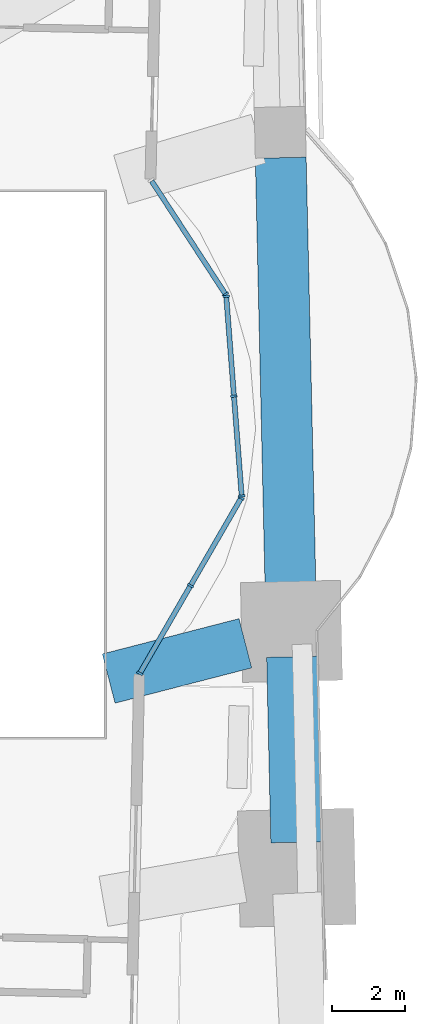
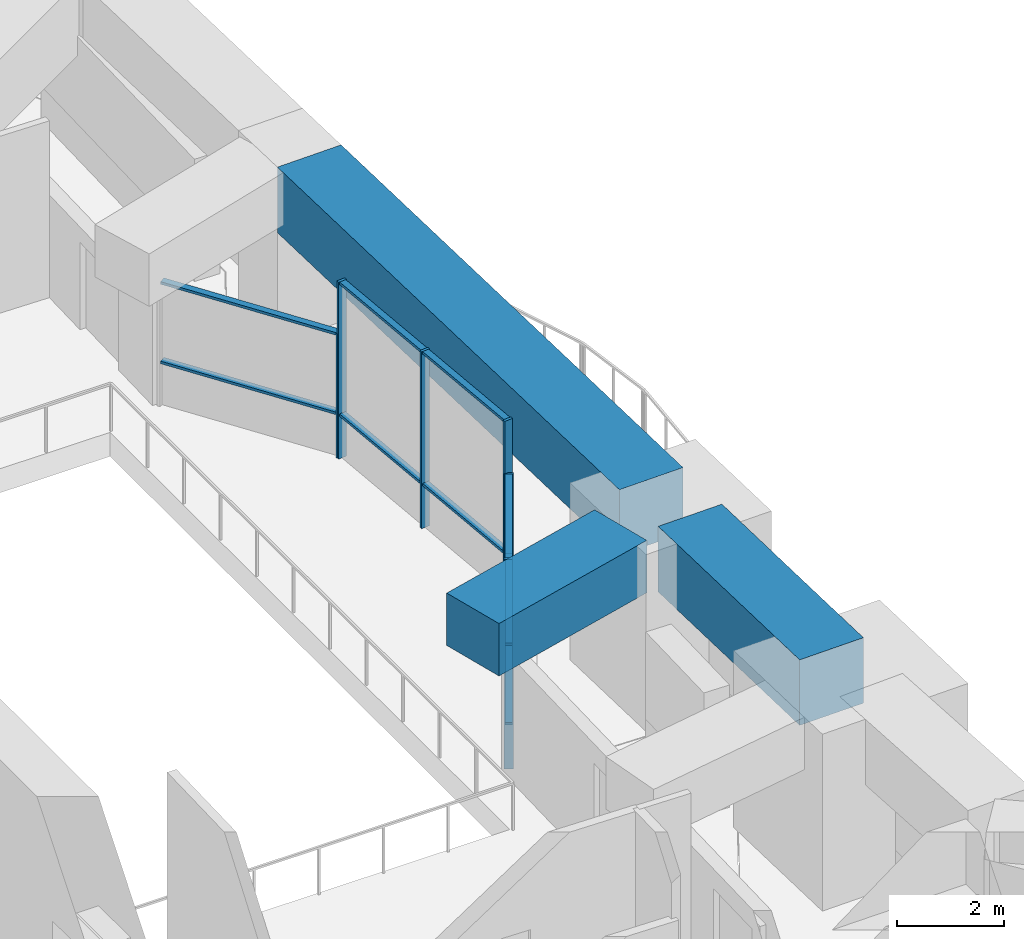
# One storey, part 4 of 20: 17 members, 3 beams, 3 elements without a shape of their own.
"""IFC4 building model written with IfcOpenShell, lengths in metres."""

from ifc_helpers import new_model, si_unit, direction, frame, origin, origin_2d, place, context, subcontext, project, spatial, rectangle, extrude, material, material_profile, profile_set, type_object, element, aggregate, save


model = new_model("IFC4")

# Units and contexts
model_context = context("Model", 3, precision=1e-05, world=origin(), true_north=direction((0.0, 1.0)))
body_context = subcontext(model_context, "Body", "Model", "MODEL_VIEW")
ifc_project = project(units=[si_unit("LENGTHUNIT", "METRE"), si_unit("AREAUNIT", "SQUARE_METRE"), si_unit("VOLUMEUNIT", "CUBIC_METRE"), si_unit("PLANEANGLEUNIT", "RADIAN"), si_unit("MASSUNIT", "GRAM", prefix="KILO")], contexts=[model_context])

# Site, building, storey
site_placement = place(None, origin())
site = spatial("IfcSite", under=ifc_project, at=site_placement, CompositionType="ELEMENT")
building_placement = place(site_placement, origin())
building = spatial("IfcBuilding", under=site, at=building_placement, Name="Mangrove Gate Tower", CompositionType="ELEMENT")
storey_placement = place(building_placement, frame((0.0, 0.0, 97.300048828125)))
storey = spatial("IfcBuildingStorey", under=building, at=storey_placement, Name="L24", CompositionType="ELEMENT", Elevation=97.300048828125)

# Curtain wall, members
ifc_material_1 = material(Name="Aluminium and glass curtain wall", Category="aluminium")
curtain_wall_type = type_object("IfcCurtainWallType", Name="Sky-lounge glazing wall", PredefinedType="NOTDEFINED", material=ifc_material_1)
curtain_wall_1_placement = place(storey_placement, origin())
curtain_wall_1 = element("IfcCurtainWall", 1, at=curtain_wall_1_placement, inside=storey, type_object=curtain_wall_type, Name="Sky-lounge glazing E1f1", PredefinedType="NOTDEFINED")
ifc_material_2 = material(Name="Aluminium alloy 6063-T6", Category="aluminium")
ifc_material_profile_1 = material_profile(ifc_material_2, rectangle(XDim=0.06005859375, YDim=0.179931640625, at=origin_2d()))
ifc_profile_set_1 = profile_set([ifc_material_profile_1], Name="Aluminium alloy 6063-T6")
member_type_1 = type_object("IfcMemberType", Name="Sky-lounge glazing mullion 60x180", PredefinedType="MULLION", material=ifc_profile_set_1)
member_1_placement = place(storey_placement, frame((25.207275390625, -5.75439453125, 0.0), z_axis=(0.0, 0.0, 1.0), x_axis=(0.500418160284, 0.865783844189, 0.0)))
member_1 = element("IfcMember", 2, at=member_1_placement, type_object=member_type_1, Name="CWK mullion 1", PredefinedType="MULLION", context=body_context, shape_type="SweptSolid", body=[
    extrude(rectangle(XDim=0.06005859375, YDim=0.179931640625, at=origin_2d()), origin(), (0.0, 0.0, 1.0), 2.849853515625),
])
member_2_placement = place(storey_placement, frame((26.60400390625, -3.338134765625, 0.0), z_axis=(0.0, 0.0, 1.0), x_axis=(0.500418160284, 0.865783844189, 0.0)))
member_2 = element("IfcMember", 3, at=member_2_placement, type_object=member_type_1, Name="CWK mullion 2", PredefinedType="MULLION", context=body_context, shape_type="SweptSolid", body=[
    extrude(rectangle(XDim=0.06005859375, YDim=0.179931640625, at=origin_2d()), origin(), (0.0, 0.0, 1.0), 2.849853515625),
])
member_3_placement = place(storey_placement, frame((28.00048828125, -0.921875, 0.0), z_axis=(0.0, 0.0, 1.0), x_axis=(0.500418160284, 0.865783844189, 0.0)))
member_3 = element("IfcMember", 4, at=member_3_placement, type_object=member_type_1, Name="CWK mullion 3", PredefinedType="MULLION", context=body_context, shape_type="SweptSolid", body=[
    extrude(rectangle(XDim=0.06005859375, YDim=0.179931640625, at=origin_2d()), origin(), (0.0, 0.0, 1.0), 2.849853515625),
])

curtain_wall_2_placement = place(storey_placement, origin())
curtain_wall_2 = element("IfcCurtainWall", 5, at=curtain_wall_2_placement, inside=storey, type_object=curtain_wall_type, Name="Sky-lounge glazing E1f2", PredefinedType="NOTDEFINED")
member_4_placement = place(storey_placement, frame((28.01318359375, -0.865966796875, 0.0), z_axis=(0.0, 0.0, 1.0), x_axis=(-0.077023348229, 0.997029289353, 0.0)))
member_4 = element("IfcMember", 6, at=member_4_placement, type_object=member_type_1, Name="CWK mullion 1", PredefinedType="MULLION", context=body_context, shape_type="SweptSolid", body=[
    extrude(rectangle(XDim=0.06005859375, YDim=0.179931640625, at=origin_2d()), origin(), (0.0, 0.0, 1.0), 4.050048828125),
])
member_5_placement = place(storey_placement, frame((27.801025390625, 1.882568359375, 0.0), z_axis=(0.0, 0.0, 1.0), x_axis=(-0.077023348229, 0.997029289353, 0.0)))
member_5 = element("IfcMember", 7, at=member_5_placement, type_object=member_type_1, Name="CWK mullion 2", PredefinedType="MULLION", context=body_context, shape_type="SweptSolid", body=[
    extrude(rectangle(XDim=0.06005859375, YDim=0.179931640625, at=origin_2d()), origin(), (0.0, 0.0, 1.0), 4.050048828125),
])
member_6_placement = place(storey_placement, frame((27.588623046875, 4.631103515625, 0.0), z_axis=(0.0, 0.0, 1.0), x_axis=(-0.077023348229, 0.997029289353, 0.0)))
member_6 = element("IfcMember", 8, at=member_6_placement, type_object=member_type_1, Name="CWK mullion 3", PredefinedType="MULLION", context=body_context, shape_type="SweptSolid", body=[
    extrude(rectangle(XDim=0.06005859375, YDim=0.179931640625, at=origin_2d()), origin(), (0.0, 0.0, 1.0), 4.050048828125),
])

# Curtain wall, member
curtain_wall_3_placement = place(storey_placement, origin())
curtain_wall_3 = element("IfcCurtainWall", 9, at=curtain_wall_3_placement, inside=storey, type_object=curtain_wall_type, Name="Sky-lounge glazing E1f3", PredefinedType="NOTDEFINED")
member_7_placement = place(storey_placement, frame((27.56982421875, 4.68603515625, 0.0), z_axis=(0.0, 0.0, 1.0), x_axis=(-0.546235085235, 0.837631918959, 0.0)))
member_7 = element("IfcMember", 10, at=member_7_placement, type_object=member_type_1, Name="CWK mullion 1", PredefinedType="MULLION", context=body_context, shape_type="SweptSolid", body=[
    extrude(rectangle(XDim=0.06005859375, YDim=0.179931640625, at=origin_2d()), origin(), (0.0, 0.0, 1.0), 2.849853515625),
])

# Member
ifc_material_3 = material(Name="Aluminium alloy 6063-T6", Category="aluminium")
ifc_material_profile_2 = material_profile(ifc_material_3, rectangle(XDim=0.06005859375, YDim=0.139892578125, at=origin_2d()))
ifc_profile_set_2 = profile_set([ifc_material_profile_2], Name="Aluminium alloy 6063-T6")
member_type_2 = type_object("IfcMemberType", Name="Sky-lounge glazing transom 60x140", PredefinedType="USERDEFINED", material=ifc_profile_set_2)
member_8_placement = place(storey_placement, frame((25.222412109375, -5.728515625, 1.0), z_axis=(0.500398244711, 0.865795354972, 0.0), x_axis=(0.0, 0.0, 1.0)))
member_8 = element("IfcMember", 11, at=member_8_placement, type_object=member_type_2, Name="CWK transom 1.2", ObjectType="TRANSOM", PredefinedType="USERDEFINED", context=body_context, shape_type="SweptSolid", body=[
    extrude(rectangle(XDim=0.06005859375, YDim=0.139892578125, at=origin_2d()), origin(), (0.0, 0.0, 1.0), 2.730712890625),
])

member_9_placement = place(storey_placement, frame((25.222412109375, -5.728515625, 2.820068359375), z_axis=(0.500398244711, 0.865795354972, 0.0), x_axis=(0.0, 0.0, 1.0)))
member_9 = element("IfcMember", 12, at=member_9_placement, type_object=member_type_2, Name="CWK transom 1.3", ObjectType="TRANSOM", PredefinedType="USERDEFINED", context=body_context, shape_type="SweptSolid", body=[
    extrude(rectangle(XDim=0.06005859375, YDim=0.139892578125, at=origin_2d()), origin(), (0.0, 0.0, 1.0), 2.730712890625),
])

member_10_placement = place(storey_placement, frame((26.618896484375, -3.312255859375, 1.0), z_axis=(0.500426524989, 0.865779009382, 0.0), x_axis=(0.0, 0.0, 1.0)))
member_10 = element("IfcMember", 13, at=member_10_placement, type_object=member_type_2, Name="CWK transom 2.2", ObjectType="TRANSOM", PredefinedType="USERDEFINED", context=body_context, shape_type="SweptSolid", body=[
    extrude(rectangle(XDim=0.06005859375, YDim=0.139892578125, at=origin_2d()), origin(), (0.0, 0.0, 1.0), 2.73095703125),
])

member_11_placement = place(storey_placement, frame((26.618896484375, -3.312255859375, 2.820068359375), z_axis=(0.500426524989, 0.865779009382, 0.0), x_axis=(0.0, 0.0, 1.0)))
member_11 = element("IfcMember", 14, at=member_11_placement, type_object=member_type_2, Name="CWK transom 2.3", ObjectType="TRANSOM", PredefinedType="USERDEFINED", context=body_context, shape_type="SweptSolid", body=[
    extrude(rectangle(XDim=0.06005859375, YDim=0.139892578125, at=origin_2d()), origin(), (0.0, 0.0, 1.0), 2.73095703125),
])

aggregate(curtain_wall_1, [member_1, member_2, member_3, member_8, member_9, member_10, member_11])

member_12_placement = place(storey_placement, frame((28.010986328125, -0.836181640625, 1.0), z_axis=(-0.077042645639, 0.997027798385, 0.0), x_axis=(0.0, 0.0, 1.0)))
member_12 = element("IfcMember", 15, at=member_12_placement, type_object=member_type_2, Name="CWK transom 1.2", ObjectType="TRANSOM", PredefinedType="USERDEFINED", context=body_context, shape_type="SweptSolid", body=[
    extrude(rectangle(XDim=0.06005859375, YDim=0.139892578125, at=origin_2d()), origin(), (0.0, 0.0, 1.0), 2.69677734375),
])

member_13_placement = place(storey_placement, frame((28.010986328125, -0.836181640625, 4.02001953125), z_axis=(-0.077042645639, 0.997027798385, 0.0), x_axis=(0.0, 0.0, 1.0)))
member_13 = element("IfcMember", 16, at=member_13_placement, type_object=member_type_2, Name="CWK transom 1.3", ObjectType="TRANSOM", PredefinedType="USERDEFINED", context=body_context, shape_type="SweptSolid", body=[
    extrude(rectangle(XDim=0.06005859375, YDim=0.139892578125, at=origin_2d()), origin(), (0.0, 0.0, 1.0), 2.69677734375),
])

member_14_placement = place(storey_placement, frame((27.798583984375, 1.912353515625, 1.0), z_axis=(-0.077042645639, 0.997027798385, 0.0), x_axis=(0.0, 0.0, 1.0)))
member_14 = element("IfcMember", 17, at=member_14_placement, type_object=member_type_2, Name="CWK transom 2.2", ObjectType="TRANSOM", PredefinedType="USERDEFINED", context=body_context, shape_type="SweptSolid", body=[
    extrude(rectangle(XDim=0.06005859375, YDim=0.139892578125, at=origin_2d()), origin(), (0.0, 0.0, 1.0), 2.69677734375),
])

member_15_placement = place(storey_placement, frame((27.798583984375, 1.912353515625, 4.02001953125), z_axis=(-0.077042645639, 0.997027798385, 0.0), x_axis=(0.0, 0.0, 1.0)))
member_15 = element("IfcMember", 18, at=member_15_placement, type_object=member_type_2, Name="CWK transom 2.3", ObjectType="TRANSOM", PredefinedType="USERDEFINED", context=body_context, shape_type="SweptSolid", body=[
    extrude(rectangle(XDim=0.06005859375, YDim=0.139892578125, at=origin_2d()), origin(), (0.0, 0.0, 1.0), 2.69677734375),
])

aggregate(curtain_wall_2, [member_4, member_5, member_6, member_12, member_13, member_14, member_15])

member_16_placement = place(storey_placement, frame((27.553466796875, 4.711181640625, 1.0), z_axis=(-0.546211360714, 0.837647389674, 0.0), x_axis=(0.0, 0.0, 1.0)))
member_16 = element("IfcMember", 19, at=member_16_placement, type_object=member_type_2, Name="CWK transom 1.2", ObjectType="TRANSOM", PredefinedType="USERDEFINED", context=body_context, shape_type="SweptSolid", body=[
    extrude(rectangle(XDim=0.06005859375, YDim=0.139892578125, at=origin_2d()), origin(), (0.0, 0.0, 1.0), 3.696044921875),
])

member_17_placement = place(storey_placement, frame((27.553466796875, 4.711181640625, 2.820068359375), z_axis=(-0.546211360714, 0.837647389674, 0.0), x_axis=(0.0, 0.0, 1.0)))
member_17 = element("IfcMember", 20, at=member_17_placement, type_object=member_type_2, Name="CWK transom 1.3", ObjectType="TRANSOM", PredefinedType="USERDEFINED", context=body_context, shape_type="SweptSolid", body=[
    extrude(rectangle(XDim=0.06005859375, YDim=0.139892578125, at=origin_2d()), origin(), (0.0, 0.0, 1.0), 3.696044921875),
])

aggregate(curtain_wall_3, [member_7, member_16, member_17])

# Beams
ifc_material_4 = material(Name="Concrete C70/85", Category="concrete")
ifc_material_profile_3 = material_profile(ifc_material_4, rectangle(XDim=1.39990234375, YDim=1.199951171875, at=origin_2d()))
ifc_profile_set_3 = profile_set([ifc_material_profile_3], Name="Concrete C70/85")
beam_type_1 = type_object("IfcBeamType", Name="Transfer girder RC 1400x1200 C70/85", PredefinedType="BEAM", material=ifc_profile_set_3)
beam_1_placement = place(storey_placement, frame((28.11474609375, -4.925048828125, 3.449951171875), z_axis=(-0.96822534524, -0.250079349079, 0.0), x_axis=(0.250079349079, -0.96822534524, 0.0)))
element("IfcBeam", 21, at=beam_1_placement, inside=storey, type_object=beam_type_1, Name="Transfer edge girder L24 15", PredefinedType="BEAM", context=body_context, shape_type="SweptSolid", body=[
    extrude(rectangle(XDim=1.39990234375, YDim=1.199951171875, at=origin_2d()), origin(), (0.0, 0.0, 1.0), 3.887451171875),
])
ifc_material_5 = material(Name="Concrete C70/85", Category="concrete")
ifc_material_profile_4 = material_profile(ifc_material_5, rectangle(XDim=1.39990234375, YDim=1.5, at=origin_2d()))
ifc_profile_set_4 = profile_set([ifc_material_profile_4], Name="Concrete C70/85")
beam_type_2 = type_object("IfcBeamType", Name="Transfer girder RC 1400x1500 C70/85", PredefinedType="BEAM", material=ifc_profile_set_4)
beam_2_placement = place(storey_placement, frame((29.516357421875, -10.406982421875, 3.300048828125), z_axis=(-0.022591213633, 0.999744785966, 0.0), x_axis=(-0.999744785966, -0.022591213633, 0.0)))
element("IfcBeam", 22, at=beam_2_placement, inside=storey, type_object=beam_type_2, Name="Transfer ring girder L24 14", PredefinedType="BEAM", context=body_context, shape_type="SweptSolid", body=[
    extrude(rectangle(XDim=1.39990234375, YDim=1.5, at=origin_2d()), origin(), (0.0, 0.0, 1.0), 5.111572265625),
])
beam_3_placement = place(storey_placement, frame((29.369384765625, -3.89697265625, 3.300048828125), z_axis=(-0.022693564937, 0.999742467894, 0.0), x_axis=(-0.999742467894, -0.022693564937, 0.0)))
element("IfcBeam", 23, at=beam_3_placement, inside=storey, type_object=beam_type_2, Name="Transfer ring girder L24 15", PredefinedType="BEAM", context=body_context, shape_type="SweptSolid", body=[
    extrude(rectangle(XDim=1.39990234375, YDim=1.5, at=origin_2d()), origin(), (0.0, 0.0, 1.0), 12.350341796875),
])

save(model, "model.ifc")
